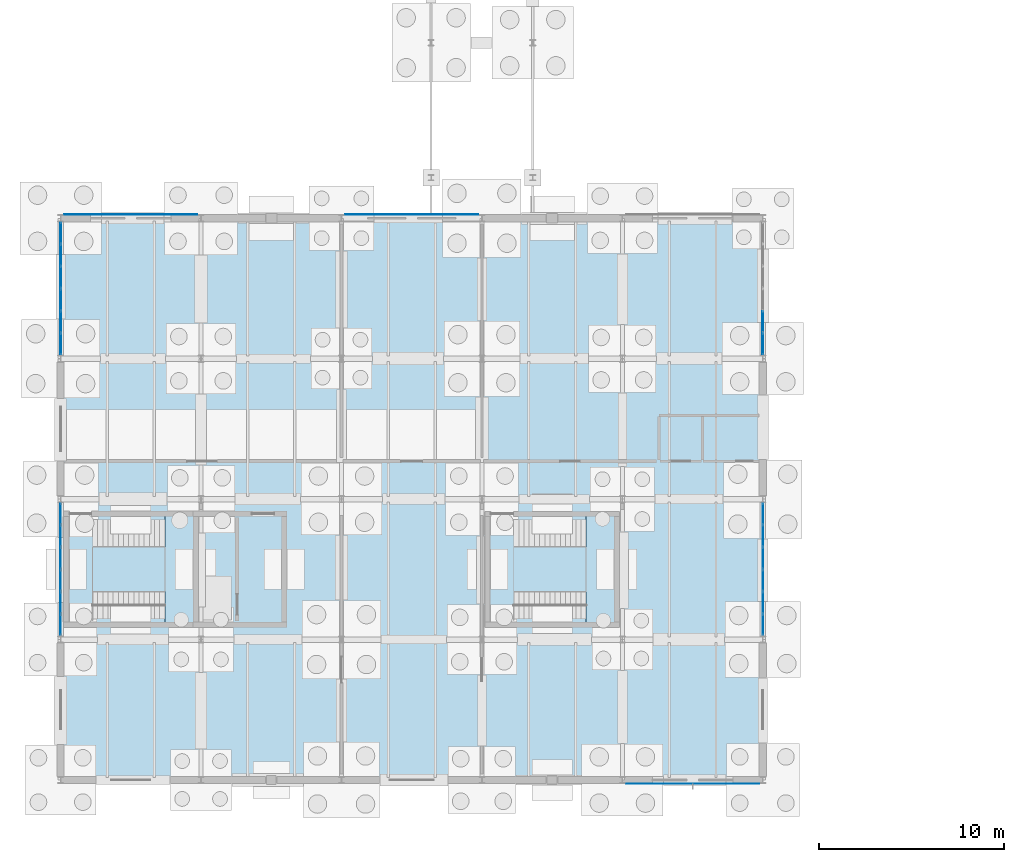
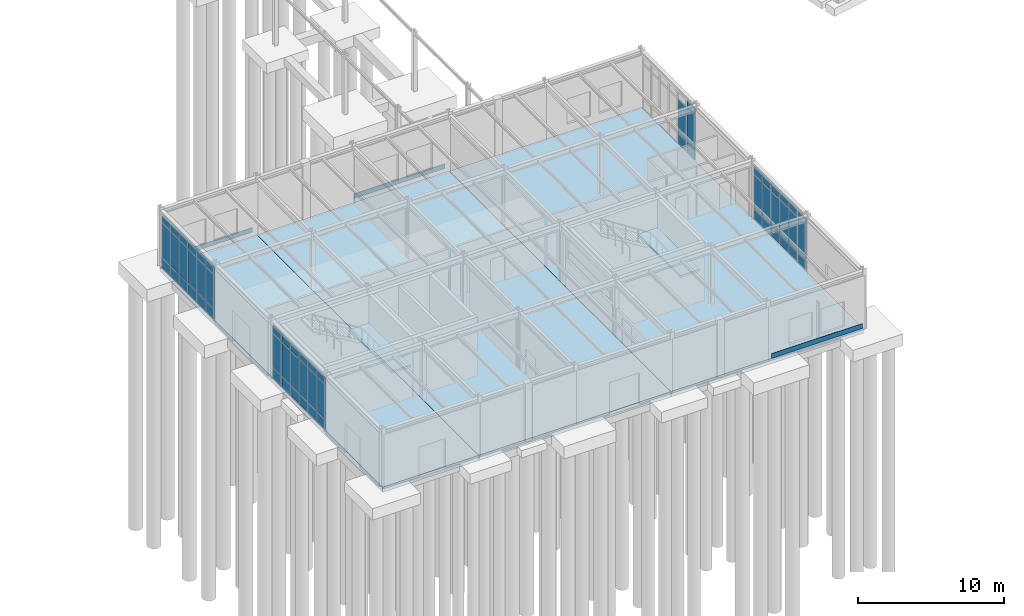
# One storey, part 72 of 109: 62 plates, 5 slabs, 6 elements without a shape of their own.
"""IFC4 building model written with IfcOpenShell, lengths in metres."""

from ifc_helpers import new_model, si_unit, direction, frame, origin, origin_2d, place, context, subcontext, project, spatial, polyline, rectangle, outline, extrude, material, layer, layer_set, type_object, element, aggregate, save


model = new_model("IFC4")

# Units and contexts
model_context = context("Model", 3, precision=1e-05, world=origin(), true_north=direction((0.0, 1.0)))
body_context = subcontext(model_context, "Body", "Model", "MODEL_VIEW")
ifc_project = project(units=[si_unit("LENGTHUNIT", "METRE"), si_unit("AREAUNIT", "SQUARE_METRE"), si_unit("VOLUMEUNIT", "CUBIC_METRE"), si_unit("PLANEANGLEUNIT", "RADIAN"), si_unit("MASSUNIT", "GRAM", prefix="KILO")], contexts=[model_context])

# Site, building, storey
site_placement = place(None, origin())
site = spatial("IfcSite", under=ifc_project, at=site_placement, CompositionType="ELEMENT")
building_placement = place(site_placement, origin())
building = spatial("IfcBuilding", under=site, at=building_placement, Name="Montecoro Central Library", CompositionType="ELEMENT")
storey_placement = place(building_placement, origin())
storey = spatial("IfcBuildingStorey", under=building, at=storey_placement, Name="L00", CompositionType="ELEMENT", Elevation=0.0)

# Curtain wall, plates
ifc_material_1 = material(Name="Bronze-anodised aluminium and low-E glazing", Category="aluminium")
ifc_layer_1 = layer(ifc_material_1, 0.159912109375)
ifc_layer_set_1 = layer_set([ifc_layer_1], Name="Bronze-anodised aluminium and low-E glazing")
curtain_wall_type_1 = type_object("IfcCurtainWallType", Name="CWT-027", PredefinedType="NOTDEFINED", material=ifc_layer_set_1)
curtain_wall_1_placement = place(storey_placement, origin())
curtain_wall_1 = element("IfcCurtainWall", 1, at=curtain_wall_1_placement, inside=storey, type_object=curtain_wall_type_1, Name="V3-L00-CW-E1", PredefinedType="NOTDEFINED")
ifc_material_2 = material(Name="Laminated low-E double glazing", Category="glass")
ifc_layer_2 = layer(ifc_material_2, 0.030029296875)
ifc_layer_set_2 = layer_set([ifc_layer_2], Name="Laminated low-E double glazing")
plate_type_1 = type_object("IfcPlateType", Name="CWP-GLZ-02", PredefinedType="CURTAIN_PANEL", material=ifc_layer_set_2)
plate_1_placement = place(storey_placement, frame((43.0, 13.399169921875, 0.070068359375), z_axis=(0.0, 0.0, 1.0), x_axis=(0.0, 1.0, 0.0)))
plate_1 = element("IfcPlate", 2, at=plate_1_placement, type_object=plate_type_1, Name="CW-027 panel 1.1", PredefinedType="CURTAIN_PANEL", context=body_context, shape_type="SweptSolid", body=[
    extrude(rectangle(XDim=1.102294921875, YDim=0.030029296875, at=origin_2d()), origin(), (0.0, 0.0, 1.0), 0.794921875),
])
plate_2_placement = place(storey_placement, frame((43.0, 13.399169921875, 0.93505859375), z_axis=(0.0, 0.0, 1.0), x_axis=(0.0, 1.0, 0.0)))
plate_2 = element("IfcPlate", 3, at=plate_2_placement, type_object=plate_type_1, Name="CW-027 panel 1.2", PredefinedType="CURTAIN_PANEL", context=body_context, shape_type="SweptSolid", body=[
    extrude(rectangle(XDim=1.102294921875, YDim=0.030029296875, at=origin_2d()), origin(), (0.0, 0.0, 1.0), 2.830078125),
])
plate_3_placement = place(storey_placement, frame((43.0, 13.399169921875, 3.8349609375), z_axis=(0.0, 0.0, 1.0), x_axis=(0.0, 1.0, 0.0)))
plate_3 = element("IfcPlate", 4, at=plate_3_placement, type_object=plate_type_1, Name="CW-027 panel 1.3", PredefinedType="CURTAIN_PANEL", context=body_context, shape_type="SweptSolid", body=[
    extrude(rectangle(XDim=1.102294921875, YDim=0.030029296875, at=origin_2d()), origin(), (0.0, 0.0, 1.0), 0.594970703125),
])
plate_4_placement = place(storey_placement, frame((43.0, 14.589111328125, 0.070068359375), z_axis=(0.0, 0.0, 1.0), x_axis=(0.0, 1.0, 0.0)))
plate_4 = element("IfcPlate", 5, at=plate_4_placement, type_object=plate_type_1, Name="CW-027 panel 2.1", PredefinedType="CURTAIN_PANEL", context=body_context, shape_type="SweptSolid", body=[
    extrude(rectangle(XDim=1.137451171875, YDim=0.030029296875, at=origin_2d()), origin(), (0.0, 0.0, 1.0), 0.794921875),
])
plate_5_placement = place(storey_placement, frame((43.0, 14.589111328125, 0.93505859375), z_axis=(0.0, 0.0, 1.0), x_axis=(0.0, 1.0, 0.0)))
plate_5 = element("IfcPlate", 6, at=plate_5_placement, type_object=plate_type_1, Name="CW-027 panel 2.2", PredefinedType="CURTAIN_PANEL", context=body_context, shape_type="SweptSolid", body=[
    extrude(rectangle(XDim=1.137451171875, YDim=0.030029296875, at=origin_2d()), origin(), (0.0, 0.0, 1.0), 2.830078125),
])
plate_6_placement = place(storey_placement, frame((43.0, 14.589111328125, 3.8349609375), z_axis=(0.0, 0.0, 1.0), x_axis=(0.0, 1.0, 0.0)))
plate_6 = element("IfcPlate", 7, at=plate_6_placement, type_object=plate_type_1, Name="CW-027 panel 2.3", PredefinedType="CURTAIN_PANEL", context=body_context, shape_type="SweptSolid", body=[
    extrude(rectangle(XDim=1.137451171875, YDim=0.030029296875, at=origin_2d()), origin(), (0.0, 0.0, 1.0), 0.594970703125),
])
plate_7_placement = place(storey_placement, frame((43.0, 15.79638671875, 0.070068359375), z_axis=(0.0, 0.0, 1.0), x_axis=(0.0, 1.0, 0.0)))
plate_7 = element("IfcPlate", 8, at=plate_7_placement, type_object=plate_type_1, Name="CW-027 panel 3.1", PredefinedType="CURTAIN_PANEL", context=body_context, shape_type="SweptSolid", body=[
    extrude(rectangle(XDim=1.137451171875, YDim=0.030029296875, at=origin_2d()), origin(), (0.0, 0.0, 1.0), 0.794921875),
])
plate_8_placement = place(storey_placement, frame((43.0, 15.79638671875, 0.93505859375), z_axis=(0.0, 0.0, 1.0), x_axis=(0.0, 1.0, 0.0)))
plate_8 = element("IfcPlate", 9, at=plate_8_placement, type_object=plate_type_1, Name="CW-027 panel 3.2", PredefinedType="CURTAIN_PANEL", context=body_context, shape_type="SweptSolid", body=[
    extrude(rectangle(XDim=1.137451171875, YDim=0.030029296875, at=origin_2d()), origin(), (0.0, 0.0, 1.0), 2.830078125),
])
plate_9_placement = place(storey_placement, frame((43.0, 15.79638671875, 3.8349609375), z_axis=(0.0, 0.0, 1.0), x_axis=(0.0, 1.0, 0.0)))
plate_9 = element("IfcPlate", 10, at=plate_9_placement, type_object=plate_type_1, Name="CW-027 panel 3.3", PredefinedType="CURTAIN_PANEL", context=body_context, shape_type="SweptSolid", body=[
    extrude(rectangle(XDim=1.137451171875, YDim=0.030029296875, at=origin_2d()), origin(), (0.0, 0.0, 1.0), 0.594970703125),
])
plate_10_placement = place(storey_placement, frame((43.0, 17.003662109375, 0.070068359375), z_axis=(0.0, 0.0, 1.0), x_axis=(0.0, 1.0, 0.0)))
plate_10 = element("IfcPlate", 11, at=plate_10_placement, type_object=plate_type_1, Name="CW-027 panel 4.1", PredefinedType="CURTAIN_PANEL", context=body_context, shape_type="SweptSolid", body=[
    extrude(rectangle(XDim=1.137451171875, YDim=0.030029296875, at=origin_2d()), origin(), (0.0, 0.0, 1.0), 0.794921875),
])
plate_11_placement = place(storey_placement, frame((43.0, 17.003662109375, 0.93505859375), z_axis=(0.0, 0.0, 1.0), x_axis=(0.0, 1.0, 0.0)))
plate_11 = element("IfcPlate", 12, at=plate_11_placement, type_object=plate_type_1, Name="CW-027 panel 4.2", PredefinedType="CURTAIN_PANEL", context=body_context, shape_type="SweptSolid", body=[
    extrude(rectangle(XDim=1.137451171875, YDim=0.030029296875, at=origin_2d()), origin(), (0.0, 0.0, 1.0), 2.830078125),
])
plate_12_placement = place(storey_placement, frame((43.0, 17.003662109375, 3.8349609375), z_axis=(0.0, 0.0, 1.0), x_axis=(0.0, 1.0, 0.0)))
plate_12 = element("IfcPlate", 13, at=plate_12_placement, type_object=plate_type_1, Name="CW-027 panel 4.3", PredefinedType="CURTAIN_PANEL", context=body_context, shape_type="SweptSolid", body=[
    extrude(rectangle(XDim=1.137451171875, YDim=0.030029296875, at=origin_2d()), origin(), (0.0, 0.0, 1.0), 0.594970703125),
])
plate_13_placement = place(storey_placement, frame((43.0, 18.2109375, 0.070068359375), z_axis=(0.0, 0.0, 1.0), x_axis=(0.0, 1.0, 0.0)))
plate_13 = element("IfcPlate", 14, at=plate_13_placement, type_object=plate_type_1, Name="CW-027 panel 5.1", PredefinedType="CURTAIN_PANEL", context=body_context, shape_type="SweptSolid", body=[
    extrude(rectangle(XDim=1.137451171875, YDim=0.030029296875, at=origin_2d()), origin(), (0.0, 0.0, 1.0), 0.794921875),
])
plate_14_placement = place(storey_placement, frame((43.0, 18.2109375, 0.93505859375), z_axis=(0.0, 0.0, 1.0), x_axis=(0.0, 1.0, 0.0)))
plate_14 = element("IfcPlate", 15, at=plate_14_placement, type_object=plate_type_1, Name="CW-027 panel 5.2", PredefinedType="CURTAIN_PANEL", context=body_context, shape_type="SweptSolid", body=[
    extrude(rectangle(XDim=1.137451171875, YDim=0.030029296875, at=origin_2d()), origin(), (0.0, 0.0, 1.0), 2.830078125),
])
plate_15_placement = place(storey_placement, frame((43.0, 18.2109375, 3.8349609375), z_axis=(0.0, 0.0, 1.0), x_axis=(0.0, 1.0, 0.0)))
plate_15 = element("IfcPlate", 16, at=plate_15_placement, type_object=plate_type_1, Name="CW-027 panel 5.3", PredefinedType="CURTAIN_PANEL", context=body_context, shape_type="SweptSolid", body=[
    extrude(rectangle(XDim=1.137451171875, YDim=0.030029296875, at=origin_2d()), origin(), (0.0, 0.0, 1.0), 0.594970703125),
])
plate_16_placement = place(storey_placement, frame((43.0, 19.40087890625, 0.070068359375), z_axis=(0.0, 0.0, 1.0), x_axis=(0.0, 1.0, 0.0)))
plate_16 = element("IfcPlate", 17, at=plate_16_placement, type_object=plate_type_1, Name="CW-027 panel 6.1", PredefinedType="CURTAIN_PANEL", context=body_context, shape_type="SweptSolid", body=[
    extrude(rectangle(XDim=1.102294921875, YDim=0.030029296875, at=origin_2d()), origin(), (0.0, 0.0, 1.0), 0.794921875),
])
plate_17_placement = place(storey_placement, frame((43.0, 19.40087890625, 0.93505859375), z_axis=(0.0, 0.0, 1.0), x_axis=(0.0, 1.0, 0.0)))
plate_17 = element("IfcPlate", 18, at=plate_17_placement, type_object=plate_type_1, Name="CW-027 panel 6.2", PredefinedType="CURTAIN_PANEL", context=body_context, shape_type="SweptSolid", body=[
    extrude(rectangle(XDim=1.102294921875, YDim=0.030029296875, at=origin_2d()), origin(), (0.0, 0.0, 1.0), 2.830078125),
])
plate_18_placement = place(storey_placement, frame((43.0, 19.40087890625, 3.8349609375), z_axis=(0.0, 0.0, 1.0), x_axis=(0.0, 1.0, 0.0)))
plate_18 = element("IfcPlate", 19, at=plate_18_placement, type_object=plate_type_1, Name="CW-027 panel 6.3", PredefinedType="CURTAIN_PANEL", context=body_context, shape_type="SweptSolid", body=[
    extrude(rectangle(XDim=1.102294921875, YDim=0.030029296875, at=origin_2d()), origin(), (0.0, 0.0, 1.0), 0.594970703125),
])
aggregate(curtain_wall_1, [plate_1, plate_2, plate_3, plate_4, plate_5, plate_6, plate_7, plate_8, plate_9, plate_10, plate_11, plate_12, plate_13, plate_14, plate_15, plate_16, plate_17, plate_18])

ifc_layer_3 = layer(ifc_material_1, 0.159912109375)
ifc_layer_set_3 = layer_set([ifc_layer_3], Name="Bronze-anodised aluminium and low-E glazing")
curtain_wall_type_2 = type_object("IfcCurtainWallType", Name="CWT-028", PredefinedType="NOTDEFINED", material=ifc_layer_set_3)
curtain_wall_2_placement = place(storey_placement, origin())
curtain_wall_2 = element("IfcCurtainWall", 20, at=curtain_wall_2_placement, inside=storey, type_object=curtain_wall_type_2, Name="V3-L00-CW-W1", PredefinedType="NOTDEFINED")
plate_19_placement = place(storey_placement, frame((5.0, 19.40087890625, 0.070068359375), z_axis=(0.0, 0.0, 1.0), x_axis=(0.0, -1.0, 0.0)))
plate_19 = element("IfcPlate", 21, at=plate_19_placement, type_object=plate_type_1, Name="CW-028 panel 1.1", PredefinedType="CURTAIN_PANEL", context=body_context, shape_type="SweptSolid", body=[
    extrude(rectangle(XDim=1.102294921875, YDim=0.030029296875, at=origin_2d()), origin(), (0.0, 0.0, 1.0), 0.794921875),
])
plate_20_placement = place(storey_placement, frame((5.0, 19.40087890625, 0.93505859375), z_axis=(0.0, 0.0, 1.0), x_axis=(0.0, -1.0, 0.0)))
plate_20 = element("IfcPlate", 22, at=plate_20_placement, type_object=plate_type_1, Name="CW-028 panel 1.2", PredefinedType="CURTAIN_PANEL", context=body_context, shape_type="SweptSolid", body=[
    extrude(rectangle(XDim=1.102294921875, YDim=0.030029296875, at=origin_2d()), origin(), (0.0, 0.0, 1.0), 2.830078125),
])
plate_21_placement = place(storey_placement, frame((5.0, 19.40087890625, 3.8349609375), z_axis=(0.0, 0.0, 1.0), x_axis=(0.0, -1.0, 0.0)))
plate_21 = element("IfcPlate", 23, at=plate_21_placement, type_object=plate_type_1, Name="CW-028 panel 1.3", PredefinedType="CURTAIN_PANEL", context=body_context, shape_type="SweptSolid", body=[
    extrude(rectangle(XDim=1.102294921875, YDim=0.030029296875, at=origin_2d()), origin(), (0.0, 0.0, 1.0), 0.594970703125),
])
plate_22_placement = place(storey_placement, frame((5.0, 18.2109375, 0.070068359375), z_axis=(0.0, 0.0, 1.0), x_axis=(0.0, -1.0, 0.0)))
plate_22 = element("IfcPlate", 24, at=plate_22_placement, type_object=plate_type_1, Name="CW-028 panel 2.1", PredefinedType="CURTAIN_PANEL", context=body_context, shape_type="SweptSolid", body=[
    extrude(rectangle(XDim=1.137451171875, YDim=0.030029296875, at=origin_2d()), origin(), (0.0, 0.0, 1.0), 0.794921875),
])
plate_23_placement = place(storey_placement, frame((5.0, 18.2109375, 0.93505859375), z_axis=(0.0, 0.0, 1.0), x_axis=(0.0, -1.0, 0.0)))
plate_23 = element("IfcPlate", 25, at=plate_23_placement, type_object=plate_type_1, Name="CW-028 panel 2.2", PredefinedType="CURTAIN_PANEL", context=body_context, shape_type="SweptSolid", body=[
    extrude(rectangle(XDim=1.137451171875, YDim=0.030029296875, at=origin_2d()), origin(), (0.0, 0.0, 1.0), 2.830078125),
])
plate_24_placement = place(storey_placement, frame((5.0, 18.2109375, 3.8349609375), z_axis=(0.0, 0.0, 1.0), x_axis=(0.0, -1.0, 0.0)))
plate_24 = element("IfcPlate", 26, at=plate_24_placement, type_object=plate_type_1, Name="CW-028 panel 2.3", PredefinedType="CURTAIN_PANEL", context=body_context, shape_type="SweptSolid", body=[
    extrude(rectangle(XDim=1.137451171875, YDim=0.030029296875, at=origin_2d()), origin(), (0.0, 0.0, 1.0), 0.594970703125),
])
plate_25_placement = place(storey_placement, frame((5.0, 17.003662109375, 0.070068359375), z_axis=(0.0, 0.0, 1.0), x_axis=(0.0, -1.0, 0.0)))
plate_25 = element("IfcPlate", 27, at=plate_25_placement, type_object=plate_type_1, Name="CW-028 panel 3.1", PredefinedType="CURTAIN_PANEL", context=body_context, shape_type="SweptSolid", body=[
    extrude(rectangle(XDim=1.137451171875, YDim=0.030029296875, at=origin_2d()), origin(), (0.0, 0.0, 1.0), 0.794921875),
])
plate_26_placement = place(storey_placement, frame((5.0, 17.003662109375, 0.93505859375), z_axis=(0.0, 0.0, 1.0), x_axis=(0.0, -1.0, 0.0)))
plate_26 = element("IfcPlate", 28, at=plate_26_placement, type_object=plate_type_1, Name="CW-028 panel 3.2", PredefinedType="CURTAIN_PANEL", context=body_context, shape_type="SweptSolid", body=[
    extrude(rectangle(XDim=1.137451171875, YDim=0.030029296875, at=origin_2d()), origin(), (0.0, 0.0, 1.0), 2.830078125),
])
plate_27_placement = place(storey_placement, frame((5.0, 17.003662109375, 3.8349609375), z_axis=(0.0, 0.0, 1.0), x_axis=(0.0, -1.0, 0.0)))
plate_27 = element("IfcPlate", 29, at=plate_27_placement, type_object=plate_type_1, Name="CW-028 panel 3.3", PredefinedType="CURTAIN_PANEL", context=body_context, shape_type="SweptSolid", body=[
    extrude(rectangle(XDim=1.137451171875, YDim=0.030029296875, at=origin_2d()), origin(), (0.0, 0.0, 1.0), 0.594970703125),
])
plate_28_placement = place(storey_placement, frame((5.0, 15.79638671875, 0.070068359375), z_axis=(0.0, 0.0, 1.0), x_axis=(0.0, -1.0, 0.0)))
plate_28 = element("IfcPlate", 30, at=plate_28_placement, type_object=plate_type_1, Name="CW-028 panel 4.1", PredefinedType="CURTAIN_PANEL", context=body_context, shape_type="SweptSolid", body=[
    extrude(rectangle(XDim=1.137451171875, YDim=0.030029296875, at=origin_2d()), origin(), (0.0, 0.0, 1.0), 0.794921875),
])
plate_29_placement = place(storey_placement, frame((5.0, 15.79638671875, 0.93505859375), z_axis=(0.0, 0.0, 1.0), x_axis=(0.0, -1.0, 0.0)))
plate_29 = element("IfcPlate", 31, at=plate_29_placement, type_object=plate_type_1, Name="CW-028 panel 4.2", PredefinedType="CURTAIN_PANEL", context=body_context, shape_type="SweptSolid", body=[
    extrude(rectangle(XDim=1.137451171875, YDim=0.030029296875, at=origin_2d()), origin(), (0.0, 0.0, 1.0), 2.830078125),
])
plate_30_placement = place(storey_placement, frame((5.0, 15.79638671875, 3.8349609375), z_axis=(0.0, 0.0, 1.0), x_axis=(0.0, -1.0, 0.0)))
plate_30 = element("IfcPlate", 32, at=plate_30_placement, type_object=plate_type_1, Name="CW-028 panel 4.3", PredefinedType="CURTAIN_PANEL", context=body_context, shape_type="SweptSolid", body=[
    extrude(rectangle(XDim=1.137451171875, YDim=0.030029296875, at=origin_2d()), origin(), (0.0, 0.0, 1.0), 0.594970703125),
])
plate_31_placement = place(storey_placement, frame((5.0, 14.589111328125, 0.070068359375), z_axis=(0.0, 0.0, 1.0), x_axis=(0.0, -1.0, 0.0)))
plate_31 = element("IfcPlate", 33, at=plate_31_placement, type_object=plate_type_1, Name="CW-028 panel 5.1", PredefinedType="CURTAIN_PANEL", context=body_context, shape_type="SweptSolid", body=[
    extrude(rectangle(XDim=1.137451171875, YDim=0.030029296875, at=origin_2d()), origin(), (0.0, 0.0, 1.0), 0.794921875),
])
plate_32_placement = place(storey_placement, frame((5.0, 14.589111328125, 0.93505859375), z_axis=(0.0, 0.0, 1.0), x_axis=(0.0, -1.0, 0.0)))
plate_32 = element("IfcPlate", 34, at=plate_32_placement, type_object=plate_type_1, Name="CW-028 panel 5.2", PredefinedType="CURTAIN_PANEL", context=body_context, shape_type="SweptSolid", body=[
    extrude(rectangle(XDim=1.137451171875, YDim=0.030029296875, at=origin_2d()), origin(), (0.0, 0.0, 1.0), 2.830078125),
])
plate_33_placement = place(storey_placement, frame((5.0, 14.589111328125, 3.8349609375), z_axis=(0.0, 0.0, 1.0), x_axis=(0.0, -1.0, 0.0)))
plate_33 = element("IfcPlate", 35, at=plate_33_placement, type_object=plate_type_1, Name="CW-028 panel 5.3", PredefinedType="CURTAIN_PANEL", context=body_context, shape_type="SweptSolid", body=[
    extrude(rectangle(XDim=1.137451171875, YDim=0.030029296875, at=origin_2d()), origin(), (0.0, 0.0, 1.0), 0.594970703125),
])
plate_34_placement = place(storey_placement, frame((5.0, 13.399169921875, 0.070068359375), z_axis=(0.0, 0.0, 1.0), x_axis=(0.0, -1.0, 0.0)))
plate_34 = element("IfcPlate", 36, at=plate_34_placement, type_object=plate_type_1, Name="CW-028 panel 6.1", PredefinedType="CURTAIN_PANEL", context=body_context, shape_type="SweptSolid", body=[
    extrude(rectangle(XDim=1.102294921875, YDim=0.030029296875, at=origin_2d()), origin(), (0.0, 0.0, 1.0), 0.794921875),
])
plate_35_placement = place(storey_placement, frame((5.0, 13.399169921875, 0.93505859375), z_axis=(0.0, 0.0, 1.0), x_axis=(0.0, -1.0, 0.0)))
plate_35 = element("IfcPlate", 37, at=plate_35_placement, type_object=plate_type_1, Name="CW-028 panel 6.2", PredefinedType="CURTAIN_PANEL", context=body_context, shape_type="SweptSolid", body=[
    extrude(rectangle(XDim=1.102294921875, YDim=0.030029296875, at=origin_2d()), origin(), (0.0, 0.0, 1.0), 2.830078125),
])
plate_36_placement = place(storey_placement, frame((5.0, 13.399169921875, 3.8349609375), z_axis=(0.0, 0.0, 1.0), x_axis=(0.0, -1.0, 0.0)))
plate_36 = element("IfcPlate", 38, at=plate_36_placement, type_object=plate_type_1, Name="CW-028 panel 6.3", PredefinedType="CURTAIN_PANEL", context=body_context, shape_type="SweptSolid", body=[
    extrude(rectangle(XDim=1.102294921875, YDim=0.030029296875, at=origin_2d()), origin(), (0.0, 0.0, 1.0), 0.594970703125),
])
aggregate(curtain_wall_2, [plate_19, plate_20, plate_21, plate_22, plate_23, plate_24, plate_25, plate_26, plate_27, plate_28, plate_29, plate_30, plate_31, plate_32, plate_33, plate_34, plate_35, plate_36])

curtain_wall_3_placement = place(storey_placement, origin())
curtain_wall_3 = element("IfcCurtainWall", 39, at=curtain_wall_3_placement, inside=storey, type_object=curtain_wall_type_1, Name="V3-L00-CW-E3", PredefinedType="NOTDEFINED")
ifc_layer_4 = layer(ifc_material_2, 0.0380859375)
ifc_layer_set_4 = layer_set([ifc_layer_4], Name="Laminated low-E double glazing")
plate_type_2 = type_object("IfcPlateType", Name="CWP-GLZ-04", PredefinedType="CURTAIN_PANEL", material=ifc_layer_set_4)
plate_37_placement = place(storey_placement, frame((43.0, 28.59912109375, 0.070068359375), z_axis=(0.0, 0.0, 1.0), x_axis=(0.0, 1.0, 0.0)))
plate_37 = element("IfcPlate", 40, at=plate_37_placement, type_object=plate_type_2, Name="CW-027 panel 1.1", PredefinedType="CURTAIN_PANEL", context=body_context, shape_type="SweptSolid", body=[
    extrude(rectangle(XDim=1.102294921875, YDim=0.0380859375, at=origin_2d()), origin(), (0.0, 0.0, 1.0), 0.794921875),
])
plate_38_placement = place(storey_placement, frame((43.0, 28.59912109375, 0.93505859375), z_axis=(0.0, 0.0, 1.0), x_axis=(0.0, 1.0, 0.0)))
plate_38 = element("IfcPlate", 41, at=plate_38_placement, type_object=plate_type_2, Name="CW-027 panel 1.2", PredefinedType="CURTAIN_PANEL", context=body_context, shape_type="SweptSolid", body=[
    extrude(rectangle(XDim=1.102294921875, YDim=0.0380859375, at=origin_2d()), origin(), (0.0, 0.0, 1.0), 2.830078125),
])
plate_39_placement = place(storey_placement, frame((43.0, 28.59912109375, 3.8349609375), z_axis=(0.0, 0.0, 1.0), x_axis=(0.0, 1.0, 0.0)))
plate_39 = element("IfcPlate", 42, at=plate_39_placement, type_object=plate_type_2, Name="CW-027 panel 1.3", PredefinedType="CURTAIN_PANEL", context=body_context, shape_type="SweptSolid", body=[
    extrude(rectangle(XDim=1.102294921875, YDim=0.0380859375, at=origin_2d()), origin(), (0.0, 0.0, 1.0), 0.594970703125),
])
plate_40_placement = place(storey_placement, frame((43.0, 29.7890625, 0.070068359375), z_axis=(0.0, 0.0, 1.0), x_axis=(0.0, 1.0, 0.0)))
plate_40 = element("IfcPlate", 43, at=plate_40_placement, type_object=plate_type_2, Name="CW-027 panel 2.1", PredefinedType="CURTAIN_PANEL", context=body_context, shape_type="SweptSolid", body=[
    extrude(rectangle(XDim=1.137451171875, YDim=0.0380859375, at=origin_2d()), origin(), (0.0, 0.0, 1.0), 0.794921875),
])
plate_41_placement = place(storey_placement, frame((43.0, 29.7890625, 0.93505859375), z_axis=(0.0, 0.0, 1.0), x_axis=(0.0, 1.0, 0.0)))
plate_41 = element("IfcPlate", 44, at=plate_41_placement, type_object=plate_type_2, Name="CW-027 panel 2.2", PredefinedType="CURTAIN_PANEL", context=body_context, shape_type="SweptSolid", body=[
    extrude(rectangle(XDim=1.137451171875, YDim=0.0380859375, at=origin_2d()), origin(), (0.0, 0.0, 1.0), 2.830078125),
])
aggregate(curtain_wall_3, [plate_37, plate_38, plate_39, plate_40, plate_41])

curtain_wall_4_placement = place(storey_placement, origin())
curtain_wall_4 = element("IfcCurtainWall", 45, at=curtain_wall_4_placement, inside=storey, type_object=curtain_wall_type_2, Name="V3-L00-CW-W3", PredefinedType="NOTDEFINED")
plate_42_placement = place(storey_placement, frame((5.0, 34.600830078125, 0.070068359375), z_axis=(0.0, 0.0, 1.0), x_axis=(0.0, -1.0, 0.0)))
plate_42 = element("IfcPlate", 46, at=plate_42_placement, type_object=plate_type_2, Name="CW-028 panel 1.1", PredefinedType="CURTAIN_PANEL", context=body_context, shape_type="SweptSolid", body=[
    extrude(rectangle(XDim=1.102294921875, YDim=0.0380859375, at=origin_2d()), origin(), (0.0, 0.0, 1.0), 0.794921875),
])
plate_43_placement = place(storey_placement, frame((5.0, 34.600830078125, 0.93505859375), z_axis=(0.0, 0.0, 1.0), x_axis=(0.0, -1.0, 0.0)))
plate_43 = element("IfcPlate", 47, at=plate_43_placement, type_object=plate_type_2, Name="CW-028 panel 1.2", PredefinedType="CURTAIN_PANEL", context=body_context, shape_type="SweptSolid", body=[
    extrude(rectangle(XDim=1.102294921875, YDim=0.0380859375, at=origin_2d()), origin(), (0.0, 0.0, 1.0), 2.830078125),
])
plate_44_placement = place(storey_placement, frame((5.0, 34.600830078125, 3.8349609375), z_axis=(0.0, 0.0, 1.0), x_axis=(0.0, -1.0, 0.0)))
plate_44 = element("IfcPlate", 48, at=plate_44_placement, type_object=plate_type_2, Name="CW-028 panel 1.3", PredefinedType="CURTAIN_PANEL", context=body_context, shape_type="SweptSolid", body=[
    extrude(rectangle(XDim=1.102294921875, YDim=0.0380859375, at=origin_2d()), origin(), (0.0, 0.0, 1.0), 0.594970703125),
])
plate_45_placement = place(storey_placement, frame((5.0, 33.410888671875, 0.070068359375), z_axis=(0.0, 0.0, 1.0), x_axis=(0.0, -1.0, 0.0)))
plate_45 = element("IfcPlate", 49, at=plate_45_placement, type_object=plate_type_2, Name="CW-028 panel 2.1", PredefinedType="CURTAIN_PANEL", context=body_context, shape_type="SweptSolid", body=[
    extrude(rectangle(XDim=1.137451171875, YDim=0.0380859375, at=origin_2d()), origin(), (0.0, 0.0, 1.0), 0.794921875),
])
plate_46_placement = place(storey_placement, frame((5.0, 33.410888671875, 0.93505859375), z_axis=(0.0, 0.0, 1.0), x_axis=(0.0, -1.0, 0.0)))
plate_46 = element("IfcPlate", 50, at=plate_46_placement, type_object=plate_type_2, Name="CW-028 panel 2.2", PredefinedType="CURTAIN_PANEL", context=body_context, shape_type="SweptSolid", body=[
    extrude(rectangle(XDim=1.137451171875, YDim=0.0380859375, at=origin_2d()), origin(), (0.0, 0.0, 1.0), 2.830078125),
])
plate_47_placement = place(storey_placement, frame((5.0, 33.410888671875, 3.8349609375), z_axis=(0.0, 0.0, 1.0), x_axis=(0.0, -1.0, 0.0)))
plate_47 = element("IfcPlate", 51, at=plate_47_placement, type_object=plate_type_2, Name="CW-028 panel 2.3", PredefinedType="CURTAIN_PANEL", context=body_context, shape_type="SweptSolid", body=[
    extrude(rectangle(XDim=1.137451171875, YDim=0.0380859375, at=origin_2d()), origin(), (0.0, 0.0, 1.0), 0.594970703125),
])
plate_48_placement = place(storey_placement, frame((5.0, 32.20361328125, 0.070068359375), z_axis=(0.0, 0.0, 1.0), x_axis=(0.0, -1.0, 0.0)))
plate_48 = element("IfcPlate", 52, at=plate_48_placement, type_object=plate_type_2, Name="CW-028 panel 3.1", PredefinedType="CURTAIN_PANEL", context=body_context, shape_type="SweptSolid", body=[
    extrude(rectangle(XDim=1.137451171875, YDim=0.0380859375, at=origin_2d()), origin(), (0.0, 0.0, 1.0), 0.794921875),
])
plate_49_placement = place(storey_placement, frame((5.0, 32.20361328125, 0.93505859375), z_axis=(0.0, 0.0, 1.0), x_axis=(0.0, -1.0, 0.0)))
plate_49 = element("IfcPlate", 53, at=plate_49_placement, type_object=plate_type_2, Name="CW-028 panel 3.2", PredefinedType="CURTAIN_PANEL", context=body_context, shape_type="SweptSolid", body=[
    extrude(rectangle(XDim=1.137451171875, YDim=0.0380859375, at=origin_2d()), origin(), (0.0, 0.0, 1.0), 2.830078125),
])
plate_50_placement = place(storey_placement, frame((5.0, 32.20361328125, 3.8349609375), z_axis=(0.0, 0.0, 1.0), x_axis=(0.0, -1.0, 0.0)))
plate_50 = element("IfcPlate", 54, at=plate_50_placement, type_object=plate_type_2, Name="CW-028 panel 3.3", PredefinedType="CURTAIN_PANEL", context=body_context, shape_type="SweptSolid", body=[
    extrude(rectangle(XDim=1.137451171875, YDim=0.0380859375, at=origin_2d()), origin(), (0.0, 0.0, 1.0), 0.594970703125),
])
plate_51_placement = place(storey_placement, frame((5.0, 30.996337890625, 0.070068359375), z_axis=(0.0, 0.0, 1.0), x_axis=(0.0, -1.0, 0.0)))
plate_51 = element("IfcPlate", 55, at=plate_51_placement, type_object=plate_type_2, Name="CW-028 panel 4.1", PredefinedType="CURTAIN_PANEL", context=body_context, shape_type="SweptSolid", body=[
    extrude(rectangle(XDim=1.137451171875, YDim=0.0380859375, at=origin_2d()), origin(), (0.0, 0.0, 1.0), 0.794921875),
])
plate_52_placement = place(storey_placement, frame((5.0, 30.996337890625, 0.93505859375), z_axis=(0.0, 0.0, 1.0), x_axis=(0.0, -1.0, 0.0)))
plate_52 = element("IfcPlate", 56, at=plate_52_placement, type_object=plate_type_2, Name="CW-028 panel 4.2", PredefinedType="CURTAIN_PANEL", context=body_context, shape_type="SweptSolid", body=[
    extrude(rectangle(XDim=1.137451171875, YDim=0.0380859375, at=origin_2d()), origin(), (0.0, 0.0, 1.0), 2.830078125),
])
plate_53_placement = place(storey_placement, frame((5.0, 30.996337890625, 3.8349609375), z_axis=(0.0, 0.0, 1.0), x_axis=(0.0, -1.0, 0.0)))
plate_53 = element("IfcPlate", 57, at=plate_53_placement, type_object=plate_type_2, Name="CW-028 panel 4.3", PredefinedType="CURTAIN_PANEL", context=body_context, shape_type="SweptSolid", body=[
    extrude(rectangle(XDim=1.137451171875, YDim=0.0380859375, at=origin_2d()), origin(), (0.0, 0.0, 1.0), 0.594970703125),
])
plate_54_placement = place(storey_placement, frame((5.0, 29.7890625, 0.070068359375), z_axis=(0.0, 0.0, 1.0), x_axis=(0.0, -1.0, 0.0)))
plate_54 = element("IfcPlate", 58, at=plate_54_placement, type_object=plate_type_2, Name="CW-028 panel 5.1", PredefinedType="CURTAIN_PANEL", context=body_context, shape_type="SweptSolid", body=[
    extrude(rectangle(XDim=1.137451171875, YDim=0.0380859375, at=origin_2d()), origin(), (0.0, 0.0, 1.0), 0.794921875),
])
plate_55_placement = place(storey_placement, frame((5.0, 29.7890625, 0.93505859375), z_axis=(0.0, 0.0, 1.0), x_axis=(0.0, -1.0, 0.0)))
plate_55 = element("IfcPlate", 59, at=plate_55_placement, type_object=plate_type_2, Name="CW-028 panel 5.2", PredefinedType="CURTAIN_PANEL", context=body_context, shape_type="SweptSolid", body=[
    extrude(rectangle(XDim=1.137451171875, YDim=0.0380859375, at=origin_2d()), origin(), (0.0, 0.0, 1.0), 2.830078125),
])
plate_56_placement = place(storey_placement, frame((5.0, 29.7890625, 3.8349609375), z_axis=(0.0, 0.0, 1.0), x_axis=(0.0, -1.0, 0.0)))
plate_56 = element("IfcPlate", 60, at=plate_56_placement, type_object=plate_type_2, Name="CW-028 panel 5.3", PredefinedType="CURTAIN_PANEL", context=body_context, shape_type="SweptSolid", body=[
    extrude(rectangle(XDim=1.137451171875, YDim=0.0380859375, at=origin_2d()), origin(), (0.0, 0.0, 1.0), 0.594970703125),
])
plate_57_placement = place(storey_placement, frame((5.0, 28.59912109375, 0.070068359375), z_axis=(0.0, 0.0, 1.0), x_axis=(0.0, -1.0, 0.0)))
plate_57 = element("IfcPlate", 61, at=plate_57_placement, type_object=plate_type_2, Name="CW-028 panel 6.1", PredefinedType="CURTAIN_PANEL", context=body_context, shape_type="SweptSolid", body=[
    extrude(rectangle(XDim=1.102294921875, YDim=0.0380859375, at=origin_2d()), origin(), (0.0, 0.0, 1.0), 0.794921875),
])
plate_58_placement = place(storey_placement, frame((5.0, 28.59912109375, 0.93505859375), z_axis=(0.0, 0.0, 1.0), x_axis=(0.0, -1.0, 0.0)))
plate_58 = element("IfcPlate", 62, at=plate_58_placement, type_object=plate_type_2, Name="CW-028 panel 6.2", PredefinedType="CURTAIN_PANEL", context=body_context, shape_type="SweptSolid", body=[
    extrude(rectangle(XDim=1.102294921875, YDim=0.0380859375, at=origin_2d()), origin(), (0.0, 0.0, 1.0), 2.830078125),
])
plate_59_placement = place(storey_placement, frame((5.0, 28.59912109375, 3.8349609375), z_axis=(0.0, 0.0, 1.0), x_axis=(0.0, -1.0, 0.0)))
plate_59 = element("IfcPlate", 63, at=plate_59_placement, type_object=plate_type_2, Name="CW-028 panel 6.3", PredefinedType="CURTAIN_PANEL", context=body_context, shape_type="SweptSolid", body=[
    extrude(rectangle(XDim=1.102294921875, YDim=0.0380859375, at=origin_2d()), origin(), (0.0, 0.0, 1.0), 0.594970703125),
])
aggregate(curtain_wall_4, [plate_42, plate_43, plate_44, plate_45, plate_46, plate_47, plate_48, plate_49, plate_50, plate_51, plate_52, plate_53, plate_54, plate_55, plate_56, plate_57, plate_58, plate_59])

# Plates
ifc_material_3 = material(Name="Architectural bronze spandrel plate", Category="aluminium")
ifc_layer_5 = layer(ifc_material_3, 0.02197265625)
ifc_layer_set_5 = layer_set([ifc_layer_5], Name="Architectural bronze spandrel plate")
plate_type_3 = type_object("IfcPlateType", Name="PLT-SPN-01", PredefinedType="SHEET", material=ifc_layer_set_5)
plate_60_placement = place(storey_placement, frame((39.199951171875, 4.79638671875, 0.16015625), z_axis=(0.0, 0.0, 1.0), x_axis=(1.0, 0.0, 0.0)))
element("IfcPlate", 64, at=plate_60_placement, inside=storey, type_object=plate_type_3, Name="V3-L00-SPN-S4", PredefinedType="SHEET", context=body_context, shape_type="SweptSolid", body=[
    extrude(rectangle(XDim=7.18994140625, YDim=0.02197265625, at=origin_2d()), origin(), (0.0, 0.0, 1.0), 0.39990234375),
])
ifc_layer_6 = layer(ifc_material_3, 0.035888671875)
ifc_layer_set_6 = layer_set([ifc_layer_6], Name="Architectural bronze spandrel plate")
plate_type_4 = type_object("IfcPlateType", Name="PLT-SPN-03", PredefinedType="SHEET", material=ifc_layer_set_6)
plate_61_placement = place(storey_placement, frame((24.0, 35.610595703125, 0.16015625), z_axis=(0.0, 0.0, 1.0), x_axis=(-1.0, 0.0, 0.0)))
element("IfcPlate", 65, at=plate_61_placement, inside=storey, type_object=plate_type_4, Name="V3-L00-SPN-N2", PredefinedType="SHEET", context=body_context, shape_type="SweptSolid", body=[
    extrude(rectangle(XDim=7.18994140625, YDim=0.035888671875, at=origin_2d()), origin(), (0.0, 0.0, 1.0), 0.39990234375),
])
ifc_layer_7 = layer(ifc_material_3, 0.02490234375)
ifc_layer_set_7 = layer_set([ifc_layer_7], Name="Architectural bronze spandrel plate")
plate_type_5 = type_object("IfcPlateType", Name="PLT-SPN-08", PredefinedType="SHEET", material=ifc_layer_set_7)
plate_62_placement = place(storey_placement, frame((8.800048828125, 35.60498046875, 0.16015625), z_axis=(0.0, 0.0, 1.0), x_axis=(-1.0, 0.0, 0.0)))
element("IfcPlate", 66, at=plate_62_placement, inside=storey, type_object=plate_type_5, Name="V3-L00-SPN-N0", PredefinedType="SHEET", context=body_context, shape_type="SweptSolid", body=[
    extrude(rectangle(XDim=7.18994140625, YDim=0.02490234375, at=origin_2d()), origin(), (0.0, 0.0, 1.0), 0.39990234375),
])

# Slabs
ifc_material_4 = material(Name="Concrete C35/45", Category="concrete")
ifc_layer_8 = layer(ifc_material_4, 0.449951171875)
ifc_layer_set_8 = layer_set([ifc_layer_8], Name="Concrete C35/45")
slab_type_1 = type_object("IfcSlabType", Name="SL-BASE-450", PredefinedType="BASESLAB", material=ifc_layer_set_8)
slab_1_placement = place(storey_placement, frame((0.0, 0.0, -0.449951171875)))
element("IfcSlab", 67, at=slab_1_placement, inside=storey, type_object=slab_type_1, Name="V3-L00-SL1", PredefinedType="BASESLAB", context=body_context, shape_type="SweptSolid", body=[
    extrude(outline(polyline([(5.0, 5.0), (12.60009765625, 5.0), (12.60009765625, 35.39990234375), (5.0, 35.39990234375), (5.0, 5.0)])), origin(), (0.0, 0.0, 1.0), 0.449951171875),
])
slab_2_placement = place(storey_placement, frame((0.0, 0.0, -0.449951171875)))
element("IfcSlab", 68, at=slab_2_placement, inside=storey, type_object=slab_type_1, Name="V3-L00-SL2", PredefinedType="BASESLAB", context=body_context, shape_type="SweptSolid", body=[
    extrude(outline(polyline([(12.60009765625, 5.0), (27.800048828125, 5.0), (27.800048828125, 35.39990234375), (12.60009765625, 35.39990234375), (12.60009765625, 5.0)])), origin(), (0.0, 0.0, 1.0), 0.449951171875),
])
slab_3_placement = place(storey_placement, frame((0.0, 0.0, -0.449951171875)))
element("IfcSlab", 69, at=slab_3_placement, inside=storey, type_object=slab_type_1, Name="V3-L00-SL3", PredefinedType="BASESLAB", context=body_context, shape_type="SweptSolid", body=[
    extrude(outline(polyline([(27.800048828125, 5.0), (43.0, 5.0), (43.0, 35.39990234375), (27.800048828125, 35.39990234375), (27.800048828125, 5.0)])), origin(), (0.0, 0.0, 1.0), 0.449951171875),
])

# Stair, slab
stair_type = type_object("IfcStairType", Name="STR-RET-150", PredefinedType="HALF_TURN_STAIR", material=ifc_material_4)
stair_1_placement = place(storey_placement, origin())
stair_1 = element("IfcStair", 70, at=stair_1_placement, inside=storey, type_object=stair_type, Name="C4-L00-STR", PredefinedType="HALF_TURN_STAIR")
ifc_layer_9 = layer(ifc_material_4, 0.199951171875)
ifc_layer_set_9 = layer_set([ifc_layer_9], Name="Concrete C35/45")
slab_type_2 = type_object("IfcSlabType", Name="SL-LND-200", PredefinedType="LANDING", material=ifc_layer_set_9)
slab_4_placement = place(storey_placement, frame((0.0, 0.0, 2.35009765625)))
slab_4 = element("IfcSlab", 71, at=slab_4_placement, type_object=slab_type_2, Name="ST-04 landing 1", PredefinedType="LANDING", context=body_context, shape_type="SweptSolid", body=[
    extrude(outline(polyline([(10.639892578125, 13.52001953125), (12.179931640625, 13.52001953125), (12.179931640625, 19.280029296875), (10.639892578125, 19.280029296875), (10.639892578125, 13.52001953125)])), origin(), (0.0, 0.0, 1.0), 0.199951171875),
])
aggregate(stair_1, [slab_4])

stair_2_placement = place(storey_placement, origin())
stair_2 = element("IfcStair", 72, at=stair_2_placement, inside=storey, type_object=stair_type, Name="C11-L00-STR", PredefinedType="HALF_TURN_STAIR")
slab_5_placement = place(storey_placement, frame((0.0, 0.0, 2.35009765625)))
slab_5 = element("IfcSlab", 73, at=slab_5_placement, type_object=slab_type_2, Name="ST-11 landing 1", PredefinedType="LANDING", context=body_context, shape_type="SweptSolid", body=[
    extrude(outline(polyline([(33.43994140625, 13.52001953125), (34.97998046875, 13.52001953125), (34.97998046875, 19.280029296875), (33.43994140625, 19.280029296875), (33.43994140625, 13.52001953125)])), origin(), (0.0, 0.0, 1.0), 0.199951171875),
])
aggregate(stair_2, [slab_5])

save(model, "model.ifc")
